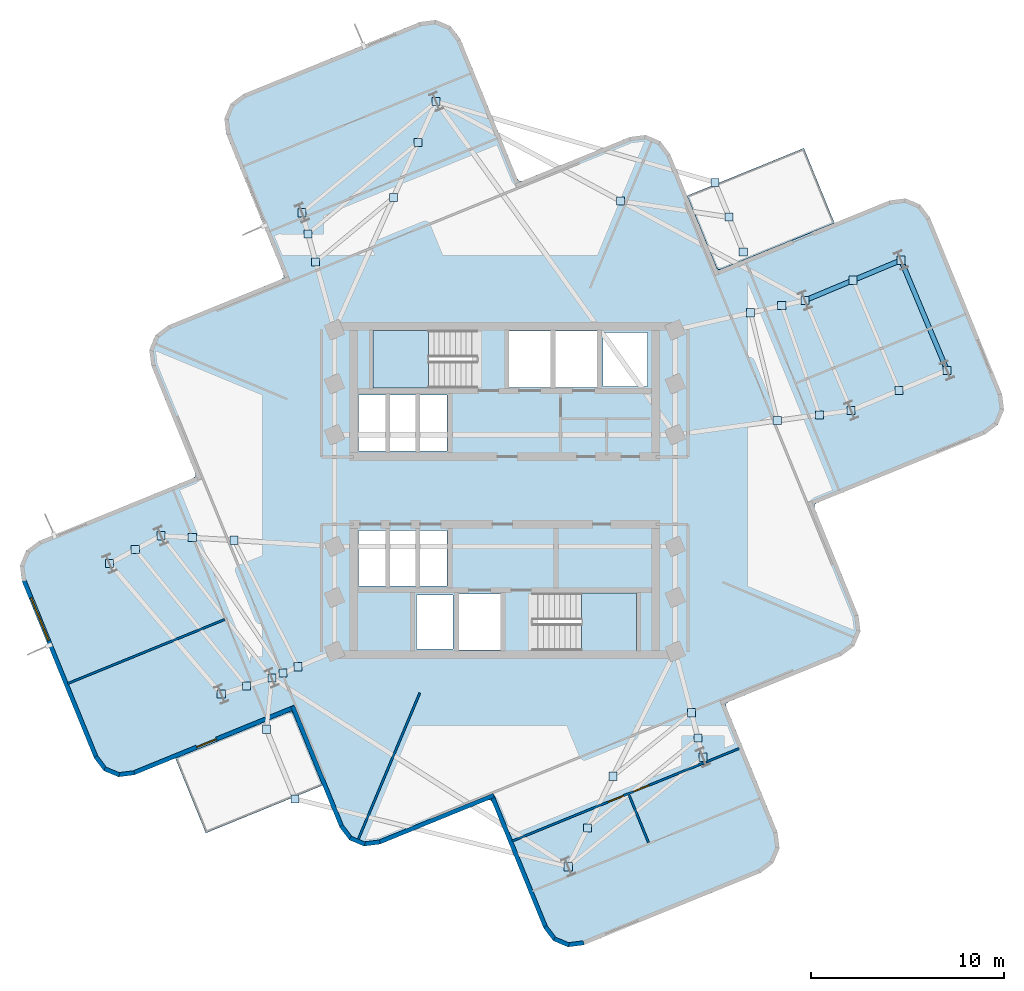
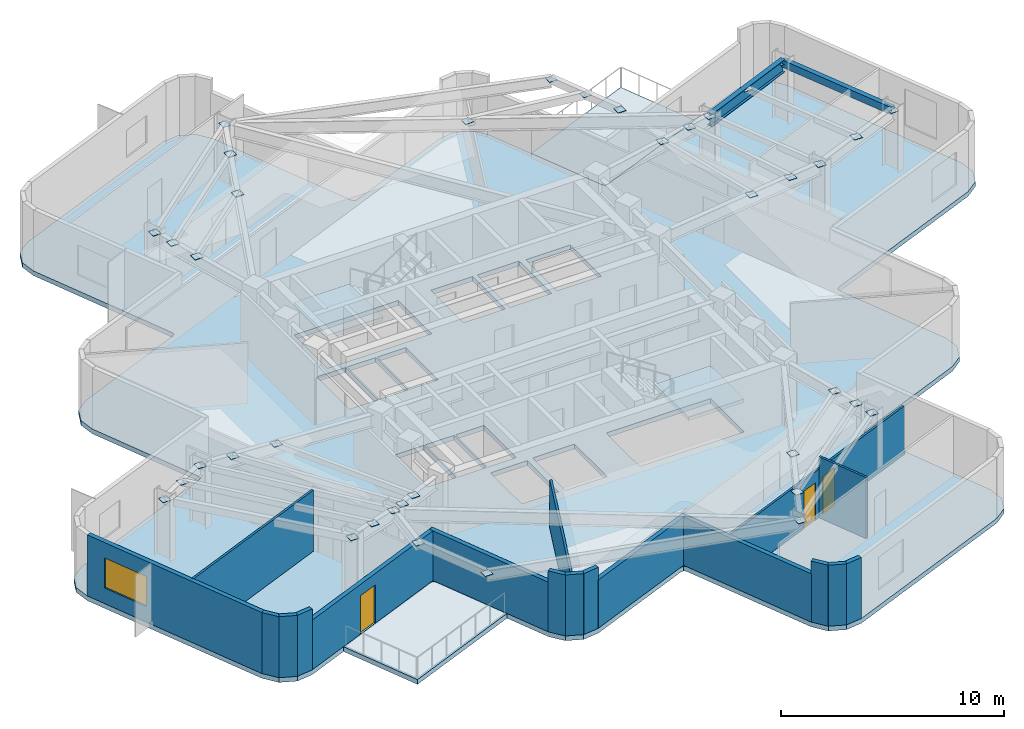
# One storey, part 2 of 8: 38 plates, 18 walls, 5 slabs, 3 doors, 2 beams, 1 window, 4 openings, 2 elements without a shape of their own.
"""IFC4 building model written with IfcOpenShell, lengths in metres."""

from ifc_helpers import new_model, si_unit, direction, frame, frame_2d, origin, origin_2d, place, context, subcontext, project, spatial, polyline, rectangle, hollow_rectangle, i_section, outline, extrude, material, layer, layer_set, material_profile, profile_set, type_object, element, fill, aggregate, save


model = new_model("IFC4")

# Units and contexts
model_context = context("Model", 3, precision=1e-05, world=origin(), true_north=direction((0.0, 1.0)))
body_context = subcontext(model_context, "Body", "Model", "MODEL_VIEW")
ifc_project = project(units=[si_unit("LENGTHUNIT", "METRE"), si_unit("AREAUNIT", "SQUARE_METRE"), si_unit("VOLUMEUNIT", "CUBIC_METRE"), si_unit("PLANEANGLEUNIT", "RADIAN"), si_unit("MASSUNIT", "GRAM", prefix="KILO")], contexts=[model_context])

# Site, building, storey
site_placement = place(None, origin())
site = spatial("IfcSite", under=ifc_project, at=site_placement, CompositionType="ELEMENT")
building_placement = place(site_placement, origin())
building = spatial("IfcBuilding", under=site, at=building_placement, Name="Solmarez Civic Tower", CompositionType="ELEMENT")
storey_placement = place(building_placement, frame((0.0, 0.0, 173.8798828125)))
storey = spatial("IfcBuildingStorey", under=building, at=storey_placement, Name="L46", CompositionType="ELEMENT", Elevation=173.8798828125)

# Beams
ifc_material_1 = material(Name="Steel S355", Category="steel")
ifc_material_profile_1 = material_profile(ifc_material_1, i_section(OverallWidth=0.25390625, OverallDepth=0.68798828125, WebThickness=0.01318359375, FlangeThickness=0.02099609375, at=origin_2d()), Name="W27X102")
ifc_profile_set_1 = profile_set([ifc_material_profile_1], Name="Steel S355")
beam_type_1 = type_object("IfcBeamType", Name="BM-PR-W27X102", PredefinedType="BEAM", material=ifc_profile_set_1)
beam_1_placement = place(storey_placement, frame((15.593994140625, 9.883056640625, 2.99609375), z_axis=(0.922538326171, 0.385905476438, 0.0), x_axis=(-0.385905476438, 0.922538326171, 0.0)))
element("IfcBeam", 1, at=beam_1_placement, inside=storey, type_object=beam_type_1, Name="L46 Primary Floor Beam BM-L46-EA-R2B", PredefinedType="BEAM", context=body_context, shape_type="SweptSolid", body=[
    extrude(i_section(OverallWidth=0.25390625, OverallDepth=0.68798828125, WebThickness=0.01318359375, FlangeThickness=0.02099609375, at=origin_2d()), origin(), (0.0, 0.0, 1.0), 5.400146484375),
])
ifc_material_profile_2 = material_profile(ifc_material_1, hollow_rectangle(XDim=0.25, YDim=0.39990234375, WallThickness=0.01611328125, at=origin_2d()), Name="HSS400X250X16")
ifc_profile_set_2 = profile_set([ifc_material_profile_2], Name="Steel S355")
beam_type_2 = type_object("IfcBeamType", Name="BM-SP-HSS400X250", PredefinedType="SPANDREL", material=ifc_profile_set_2)
beam_2_placement = place(storey_placement, frame((22.968017578125, 6.248046875, 3.14013671875), z_axis=(-0.385876218946, 0.922550564279, 0.0), x_axis=(-0.922550564279, -0.385876218946, 0.0)))
element("IfcBeam", 2, at=beam_2_placement, inside=storey, type_object=beam_type_2, Name="L46 Perimeter Spandrel Beam BM-L46-EA-T2", PredefinedType="SPANDREL", context=body_context, shape_type="SweptSolid", body=[
    extrude(hollow_rectangle(XDim=0.25, YDim=0.39990234375, WallThickness=0.01611328125, at=origin_2d()), origin(), (0.0, 0.0, 1.0), 6.19921875),
])

# Plates
ifc_layer_1 = layer(ifc_material_1, 0.02392578125)
ifc_layer_set_1 = layer_set([ifc_layer_1], Name="Steel S355")
plate_type = type_object("IfcPlateType", Name="PLT-CAP-380", PredefinedType="USERDEFINED", material=ifc_layer_set_1)
for number, where, z_axis, x_axis, name in (
    (3, (17.987060546875, 4.1640625, 3.17822265625), (0.0, 0.0, 1.0), (1.0, 0.0, 0.0), "Steel Member End Cap Plate CAP-BM-L46-EA-T1-0"),
    (4, (15.593994140625, 9.883056640625, 3.17822265625), (0.0, 0.0, 1.0), (1.0, 0.0, 0.0), "Steel Member End Cap Plate CAP-BM-L46-EA-T1-1"),
    (5, (22.968017578125, 6.248046875, 3.128173828125), (0.0, 0.0, 1.0), (1.0, 0.0, 0.0), "Steel Member End Cap Plate CAP-BM-L46-EA-T2-0"),
    (6, (20.575927734375, 11.967041015625, 3.128173828125), (0.0, 0.0, 1.0), (1.0, 0.0, 0.0), "Steel Member End Cap Plate CAP-BM-L46-EA-T2-1"),
    (7, (20.47705078125, 5.2060546875, 3.17822265625), (0.0, 0.0, 1.0), (1.0, 0.0, 0.0), "Steel Member End Cap Plate CAP-JS-L46-EA-M2-0"),
    (8, (18.0849609375, 10.925048828125, 3.17822265625), (0.0, 0.0, 1.0), (1.0, 0.0, 0.0), "Steel Member End Cap Plate CAP-JS-L46-EA-M2-1"),
    (9, (14.14892578125, 3.633056640625, 3.17822265625), (0.0, 0.0, 1.0), (1.0, 0.0, 0.0), "Steel Member End Cap Plate CAP-JS-L46-EA-M11-0"),
    (10, (12.761962890625, 9.239013671875, 3.17822265625), (0.0, 0.0, 1.0), (1.0, 0.0, 0.0), "Steel Member End Cap Plate CAP-JS-L46-EA-M11-1"),
    (11, (16.342041015625, 3.93603515625, 3.17822265625), (0.0, 0.0, 1.0), (1.0, 0.0, 0.0), "Steel Member End Cap Plate CAP-JS-L46-EA-M12-0"),
    (12, (14.3798828125, 9.60693359375, 3.17822265625), (0.0, 0.0, 1.0), (1.0, 0.0, 0.0), "Steel Member End Cap Plate CAP-JS-L46-EA-M12-1"),
    (13, (-3.570068359375, 20.20703125, 3.17822265625), (0.0, 0.0, 1.0), (1.0, 0.0, 0.0), "Steel Member End Cap Plate CAP-BM-L46-NA-T1-0"),
    (14, (-10.532958984375, 14.43310546875, 3.17822265625), (0.0, 0.0, 1.0), (1.0, 0.0, 0.0), "Steel Member End Cap Plate CAP-BM-L46-NA-T1-1"),
    (15, (-5.7880859375, 15.22705078125, 3.17822265625), (0.0, 0.0, 1.0), (1.0, 0.0, 0.0), "Steel Member End Cap Plate CAP-JS-L46-NA-M11-0"),
    (16, (-9.825927734375, 11.8779296875, 3.17822265625), (0.0, 0.0, 1.0), (1.0, 0.0, 0.0), "Steel Member End Cap Plate CAP-JS-L46-NA-M11-1"),
    (17, (-4.52001953125, 18.072998046875, 3.17822265625), (0.0, 0.0, 1.0), (1.0, 0.0, 0.0), "Steel Member End Cap Plate CAP-JS-L46-NA-M12-0"),
    (18, (-10.22998046875, 13.337890625, 3.17822265625), (0.0, 0.0, 1.0), (1.0, 0.0, 0.0), "Steel Member End Cap Plate CAP-JS-L46-NA-M12-1"),
    (19, (-17.85791015625, -2.345947265625, 3.17822265625), (0.0, 0.0, 1.0), (1.0, 0.0, 0.0), "Steel Member End Cap Plate CAP-BM-L46-WA-T1-0"),
    (20, (-12.10595703125, -9.73095703125, 3.17822265625), (0.0, 0.0, 1.0), (1.0, 0.0, 0.0), "Steel Member End Cap Plate CAP-BM-L46-WA-T1-1"),
    (21, (-20.534912109375, -3.7880859375, 3.128173828125), (0.0, 0.0, 1.0), (1.0, 0.0, 0.0), "Steel Member End Cap Plate CAP-BM-L46-WA-T2-0"),
    (22, (-14.73095703125, -10.572998046875, 3.128173828125), (0.0, 0.0, 1.0), (1.0, 0.0, 0.0), "Steel Member End Cap Plate CAP-BM-L46-WA-T2-1"),
    (23, (-19.197021484375, -3.06689453125, 3.17822265625), (0.0, 0.0, 1.0), (1.0, 0.0, 0.0), "Steel Member End Cap Plate CAP-JS-L46-WA-M2-0"),
    (24, (-13.41796875, -10.152099609375, 3.17822265625), (0.0, 0.0, 1.0), (1.0, 0.0, 0.0), "Steel Member End Cap Plate CAP-JS-L46-WA-M2-1"),
    (25, (-14.074951171875, -2.5791015625, 3.17822265625), (0.0, 0.0, 1.0), (1.0, 0.0, 0.0), "Steel Member End Cap Plate CAP-JS-L46-WA-M11-0"),
    (26, (-10.738037109375, -9.15087890625, 3.17822265625), (0.0, 0.0, 1.0), (1.0, 0.0, 0.0), "Steel Member End Cap Plate CAP-JS-L46-WA-M11-1"),
    (27, (-16.237060546875, -2.446044921875, 3.17822265625), (0.0, 0.0, 1.0), (1.0, 0.0, 0.0), "Steel Member End Cap Plate CAP-JS-L46-WA-M12-0"),
    (28, (-11.52001953125, -9.48193359375, 3.17822265625), (0.0, 0.0, 1.0), (1.0, 0.0, 0.0), "Steel Member End Cap Plate CAP-JS-L46-WA-M12-1"),
    (29, (3.2900390625, -19.535888671875, 3.17822265625), (0.0, 0.0, 1.0), (1.0, 0.0, 0.0), "Steel Member End Cap Plate CAP-BM-L46-SA-T1-0"),
    (30, (10.2900390625, -13.85009765625, 3.17822265625), (0.0, 0.0, 1.0), (1.0, 0.0, 0.0), "Steel Member End Cap Plate CAP-BM-L46-SA-T1-1"),
    (31, (5.625, -14.837890625, 3.17822265625), (0.0, 0.0, 1.0), (1.0, 0.0, 0.0), "Steel Member End Cap Plate CAP-JS-L46-SA-M11-0"),
    (32, (9.68505859375, -11.5400390625, 3.17822265625), (0.0, 0.0, 1.0), (1.0, 0.0, 0.0), "Steel Member End Cap Plate CAP-JS-L46-SA-M11-1"),
    (33, (4.291015625, -17.52294921875, 3.17822265625), (0.0, 0.0, 1.0), (1.0, 0.0, 0.0), "Steel Member End Cap Plate CAP-JS-L46-SA-M12-0"),
    (34, (10.031005859375, -12.860107421875, 3.17822265625), (0.0, 0.0, 1.0), (1.0, 0.0, 0.0), "Steel Member End Cap Plate CAP-JS-L46-SA-M12-1"),
    (35, (12.383056640625, 12.39794921875, 3.128173828125), (0.0, 0.0, 1.0), (1.0, 0.0, 0.0), "Steel Member End Cap Plate CAP-BM-L46-BALC-NEE-0"),
    (36, (10.909912109375, 16.009033203125, 3.128173828125), (0.0, 0.0, 1.0), (1.0, 0.0, 0.0), "Steel Member End Cap Plate CAP-BM-L46-BALC-NEE-1"),
    (37, (6.011962890625, 15.044921875, 3.128173828125), (0.0, 0.0, 1.0), (1.0, 0.0, 0.0), "Steel Member End Cap Plate CAP-BM-L46-BALC-NEM-0"),
    (38, (11.64599609375, 14.2041015625, 3.128173828125), (0.0, 0.0, 1.0), (1.0, 0.0, 0.0), "Steel Member End Cap Plate CAP-BM-L46-BALC-NEM-1"),
    (39, (-12.383056640625, -12.39794921875, 3.128173828125), (0.0, 0.0, 1.0), (1.0, 0.0, 0.0), "Steel Member End Cap Plate CAP-BM-L46-BALC-SWE-0"),
    (40, (-10.909912109375, -16.009033203125, 3.128173828125), (0.0, 0.0, 1.0), (1.0, 0.0, 0.0), "Steel Member End Cap Plate CAP-BM-L46-BALC-SWE-1"),
):
    element("IfcPlate", number, at=place(storey_placement, frame(where, z_axis=z_axis, x_axis=x_axis)), inside=storey, type_object=plate_type, Name=name, ObjectType="CAP_PLATE", PredefinedType="USERDEFINED", context=body_context, shape_type="SweptSolid", body=[
        extrude(rectangle(XDim=0.419921875, YDim=0.419921875, at=origin_2d()), origin(), (0.0, 0.0, 1.0), 0.02392578125),
    ])

# Stair, slab
ifc_material_2 = material(Name="Concrete C50/60", Category="concrete")
stair_type = type_object("IfcStairType", Name="STAIR-DOGLEG-140W-20R-1800", PredefinedType="HALF_TURN_STAIR", material=ifc_material_2)
stair_1_placement = place(storey_placement, origin())
stair_1 = element("IfcStair", 41, at=stair_1_placement, inside=storey, type_object=stair_type, Name="L46 North Core Protected Exit Stair ST-1", PredefinedType="HALF_TURN_STAIR")
ifc_layer_2 = layer(ifc_material_2, 0.199951171875)
ifc_layer_set_2 = layer_set([ifc_layer_2], Name="Concrete C50/60")
slab_type_1 = type_object("IfcSlabType", Name="SLAB-LANDING-200", PredefinedType="LANDING", material=ifc_layer_set_2)
slab_1_placement = place(storey_placement, frame((0.0, 0.0, 1.60009765625)))
slab_1 = element("IfcSlab", 42, at=slab_1_placement, type_object=slab_type_1, Name="ST-1 landing 1", PredefinedType="LANDING", context=body_context, shape_type="SweptSolid", body=[
    extrude(outline(polyline([(-3.969970703125, 8.320068359375), (-6.85009765625, 8.320068359375), (-6.85009765625, 5.320068359375), (-3.969970703125, 5.320068359375), (-3.969970703125, 8.320068359375)])), origin(), (0.0, 0.0, 1.0), 0.199951171875),
])
aggregate(stair_1, [slab_1])

stair_2_placement = place(storey_placement, origin())
stair_2 = element("IfcStair", 43, at=stair_2_placement, inside=storey, type_object=stair_type, Name="L46 South Core Protected Exit Stair ST-2", PredefinedType="HALF_TURN_STAIR")
slab_2_placement = place(storey_placement, frame((0.0, 0.0, 1.60009765625)))
slab_2 = element("IfcSlab", 44, at=slab_2_placement, type_object=slab_type_1, Name="ST-2 landing 1", PredefinedType="LANDING", context=body_context, shape_type="SweptSolid", body=[
    extrude(outline(polyline([(3.969970703125, -8.320068359375), (6.85009765625, -8.320068359375), (6.85009765625, -5.320068359375), (3.969970703125, -5.320068359375), (3.969970703125, -8.320068359375)])), origin(), (0.0, 0.0, 1.0), 0.199951171875),
])
aggregate(stair_2, [slab_2])

# Slabs
ifc_layer_3 = layer(ifc_material_2, 0.260009765625)
ifc_layer_set_3 = layer_set([ifc_layer_3], Name="Concrete C50/60")
slab_type_2 = type_object("IfcSlabType", Name="SLAB-TOWER-260", PredefinedType="FLOOR", material=ifc_layer_set_3)
slab_3_placement = place(storey_placement, frame((0.0, 0.0, -0.259765625)))
element("IfcSlab", 45, at=slab_3_placement, inside=storey, type_object=slab_type_2, Name="L46 Structural Slab", PredefinedType="FLOOR", context=body_context, shape_type="SweptSolid", body=[
    extrude(outline(polyline([(-10.97412109375, -11.617919921875), (-8.577880859375, -17.488037109375), (-8.077880859375, -18.14697265625), (-7.31396484375, -18.468017578125), (-6.491943359375, -18.364013671875), (-0.9189453125, -16.090087890625), (-0.7490234375, -16.069091796875), (-0.64501953125, -16.2060546875), (2.014892578125, -22.722900390625), (2.51611328125, -23.383056640625), (3.279052734375, -23.7041015625), (4.10107421875, -23.60009765625), (13.285888671875, -19.85205078125), (13.945068359375, -19.35107421875), (14.26611328125, -18.5869140625), (14.1630859375, -17.76611328125), (11.5029296875, -11.248046875), (11.48095703125, -11.077880859375), (11.617919921875, -10.97412109375), (17.488037109375, -8.577880859375), (18.14697265625, -8.077880859375), (18.468017578125, -7.31396484375), (18.364013671875, -6.491943359375), (16.090087890625, -0.9189453125), (16.069091796875, -0.7490234375), (16.2060546875, -0.64501953125), (24.945068359375, 2.922119140625), (25.60498046875, 3.423095703125), (25.926025390625, 4.18603515625), (25.822021484375, 5.008056640625), (22.073974609375, 14.19189453125), (21.572998046875, 14.85205078125), (20.81005859375, 15.173095703125), (19.988037109375, 15.069091796875), (11.248046875, 11.5029296875), (11.077880859375, 11.48095703125), (10.97412109375, 11.617919921875), (8.577880859375, 17.488037109375), (8.077880859375, 18.14697265625), (7.31396484375, 18.468017578125), (6.491943359375, 18.364013671875), (0.9189453125, 16.090087890625), (0.7490234375, 16.069091796875), (0.64501953125, 16.2060546875), (-2.31689453125, 23.464111328125), (-2.818115234375, 24.123046875), (-3.58203125, 24.444091796875), (-4.403076171875, 24.341064453125), (-13.587890625, 20.592041015625), (-14.248046875, 20.092041015625), (-14.569091796875, 19.327880859375), (-14.465087890625, 18.506103515625), (-11.5029296875, 11.248046875), (-11.48095703125, 11.077880859375), (-11.617919921875, 10.97412109375), (-17.488037109375, 8.577880859375), (-18.14697265625, 8.077880859375), (-18.468017578125, 7.31396484375), (-18.364013671875, 6.491943359375), (-16.090087890625, 0.9189453125), (-16.069091796875, 0.7490234375), (-16.2060546875, 0.64501953125), (-24.2041015625, -2.6201171875), (-24.864013671875, -3.1201171875), (-25.18505859375, -3.884033203125), (-25.0810546875, -4.7060546875), (-21.3330078125, -13.889892578125), (-20.83203125, -14.550048828125), (-20.069091796875, -14.87109375), (-19.2470703125, -14.76708984375), (-11.248046875, -11.5029296875), (-11.077880859375, -11.48095703125), (-10.97412109375, -11.617919921875)]), holes=[polyline([(-1.449951171875, 8.320068359375), (-6.85009765625, 8.320068359375), (-6.85009765625, 5.320068359375), (-1.449951171875, 5.320068359375), (-1.449951171875, 8.320068359375)]), polyline([(1.449951171875, -8.320068359375), (6.85009765625, -8.320068359375), (6.85009765625, -5.320068359375), (1.449951171875, -5.320068359375), (1.449951171875, -8.320068359375)]), polyline([(0.219970703125, 5.360107421875), (2.3798828125, 5.360107421875), (2.3798828125, 8.280029296875), (0.219970703125, 8.280029296875), (0.219970703125, 5.360107421875)]), polyline([(2.6201171875, 5.360107421875), (4.780029296875, 5.360107421875), (4.780029296875, 8.280029296875), (2.6201171875, 8.280029296875), (2.6201171875, 5.360107421875)]), polyline([(-2.3798828125, -8.280029296875), (-0.219970703125, -8.280029296875), (-0.219970703125, -5.360107421875), (-2.3798828125, -5.360107421875), (-2.3798828125, -8.280029296875)]), polyline([(-7.60009765625, -4.9599609375), (-6.1201171875, -4.9599609375), (-6.1201171875, -2.06005859375), (-7.60009765625, -2.06005859375), (-7.60009765625, -4.9599609375)]), polyline([(-6.0400390625, -4.9599609375), (-4.56005859375, -4.9599609375), (-4.56005859375, -2.06005859375), (-6.0400390625, -2.06005859375), (-6.0400390625, -4.9599609375)]), polyline([(-4.47998046875, -4.9599609375), (-3.0, -4.9599609375), (-3.0, -2.06005859375), (-4.47998046875, -2.06005859375), (-4.47998046875, -4.9599609375)]), polyline([(-7.60009765625, 2.06005859375), (-6.1201171875, 2.06005859375), (-6.1201171875, 4.9599609375), (-7.60009765625, 4.9599609375), (-7.60009765625, 2.06005859375)]), polyline([(-6.0400390625, 2.06005859375), (-4.56005859375, 2.06005859375), (-4.56005859375, 4.9599609375), (-6.0400390625, 4.9599609375), (-6.0400390625, 2.06005859375)]), polyline([(-4.47998046875, 2.06005859375), (-3.0, 2.06005859375), (-3.0, 4.9599609375), (-4.47998046875, 4.9599609375), (-4.47998046875, 2.06005859375)]), polyline([(5.10009765625, 5.419921875), (7.39990234375, 5.419921875), (7.39990234375, 8.219970703125), (5.10009765625, 8.219970703125), (5.10009765625, 5.419921875)]), polyline([(-4.60009765625, -8.219970703125), (-2.699951171875, -8.219970703125), (-2.699951171875, -5.419921875), (-4.60009765625, -5.419921875), (-4.60009765625, -8.219970703125)])]), origin(), (0.0, 0.0, 1.0), 0.259765625),
])
slab_4_placement = place(storey_placement, frame((0.0, 0.0, -0.259765625)))
element("IfcSlab", 46, at=slab_4_placement, inside=storey, type_object=slab_type_2, Name="L46 Re-entrant Corner Winter-Garden Balcony NE", PredefinedType="FLOOR", context=body_context, shape_type="SweptSolid", body=[
    extrude(outline(polyline([(9.468017578125, 15.31298828125), (10.97509765625, 11.618896484375), (11.0791015625, 11.48291015625), (11.248046875, 11.5048828125), (17.116943359375, 13.89990234375), (15.531005859375, 17.787109375), (9.468017578125, 15.31298828125)])), origin(), (0.0, 0.0, 1.0), 0.259765625),
])
slab_5_placement = place(storey_placement, frame((0.0, 0.0, -0.259765625)))
element("IfcSlab", 47, at=slab_5_placement, inside=storey, type_object=slab_type_2, Name="L46 Re-entrant Corner Winter-Garden Balcony SW", PredefinedType="FLOOR", context=body_context, shape_type="SweptSolid", body=[
    extrude(outline(polyline([(-9.468017578125, -15.31298828125), (-10.97509765625, -11.618896484375), (-11.0791015625, -11.48291015625), (-11.248046875, -11.5048828125), (-17.116943359375, -13.89990234375), (-15.531005859375, -17.787109375), (-9.468017578125, -15.31298828125)])), origin(), (0.0, 0.0, 1.0), 0.259765625),
])

# Wall, opening, door
ifc_material_3 = material(Name="Precast concrete C40/50", Category="concrete")
ifc_layer_4 = layer(ifc_material_3, 0.219970703125)
ifc_layer_set_4 = layer_set([ifc_layer_4], Name="Precast concrete C40/50")
wall_type_1 = type_object("IfcWallType", Name="WALL-EXT-220", PredefinedType="SOLIDWALL", material=ifc_layer_set_4)
wall_1_placement = place(storey_placement, frame((-10.912109375, -11.24609375, 0.0), z_axis=(0.0, 0.0, 1.0), x_axis=(-0.925847643695, -0.377896997427, 0.0)))
wall_1 = element("IfcWall", 48, at=wall_1_placement, inside=storey, type_object=wall_type_1, Name="L46 Exterior Precast Wall 2", PredefinedType="SOLIDWALL", context=body_context, shape_type="SweptSolid", body=[
    extrude(rectangle(XDim=9.0576171875, YDim=0.219970703125, at=frame_2d((4.52880859375, 0.0))), origin(), (0.0, 0.0, 1.0), 2.72021484375),
])
opening_1_placement = place(wall_1_placement, frame((4.39990234375, 0.0, 0.0)))
opening_1 = element("IfcOpeningElement", 49, at=opening_1_placement, cuts=wall_1, Name="Opening D-06", PredefinedType="OPENING", context=body_context, shape_type="SweptSolid", body=[
    extrude(rectangle(XDim=1.10009765625, YDim=2.10009765625, at=frame_2d((0.550048828125, 1.050048828125))), frame((0.0, 0.119873046875, 0.0), z_axis=(0.0, -1.0, 0.0), x_axis=(1.0, 0.0, 0.0)), (0.0, 0.0, 1.0), 0.239990234375),
])
ifc_material_4 = material(Name="Bronze Anodised Aluminium Glazed Terrace Door", Category="aluminium")
door_type_1 = type_object("IfcDoorType", Name="DOOR-TERR-1100", OperationType="NOTDEFINED", PredefinedType="DOOR", material=ifc_material_4)
door_1_placement = place(opening_1_placement, origin())
door_1 = element("IfcDoor", 50, at=door_1_placement, inside=storey, type_object=door_type_1, Name="L46 Outdoor Terrace Glazed Door", OperationType="SINGLE_SWING_RIGHT", OverallHeight=2.10009765625, OverallWidth=1.10009765625, PredefinedType="DOOR", context=body_context, shape_type="SweptSolid", body=[
    extrude(rectangle(XDim=1.10009765625, YDim=2.10009765625, at=frame_2d((0.550048828125, 1.050048828125))), frame((0.0, 0.02490234375, 0.0), z_axis=(0.0, -1.0, 0.0), x_axis=(1.0, 0.0, 0.0)), (0.0, 0.0, 1.0), 0.050048828125),
])
fill(opening_1, door_1)

# Walls
wall_2_placement = place(storey_placement, frame((-19.25, -14.656982421875, 0.0), z_axis=(0.0, 0.0, 1.0), x_axis=(-0.992201162123, -0.124646916858, 0.0)))
element("IfcWall", 51, at=wall_2_placement, inside=storey, type_object=wall_type_1, Name="L46 Exterior Precast Wall 3", PredefinedType="SOLIDWALL", context=body_context, shape_type="SweptSolid", body=[
    extrude(rectangle(XDim=0.83447265625, YDim=0.219970703125, at=frame_2d((0.417236328125, 0.0))), origin(), (0.0, 0.0, 1.0), 3.340087890625),
])
wall_3_placement = place(storey_placement, frame((-20.030029296875, -14.76806640625, 0.0), z_axis=(0.0, 0.0, 1.0), x_axis=(-0.921697006113, 0.387910593981, 0.0)))
element("IfcWall", 52, at=wall_3_placement, inside=storey, type_object=wall_type_1, Name="L46 Exterior Precast Wall 4", PredefinedType="SOLIDWALL", context=body_context, shape_type="SweptSolid", body=[
    extrude(rectangle(XDim=0.820068359375, YDim=0.219970703125, at=frame_2d((0.41015625, 0.0))), origin(), (0.0, 0.0, 1.0), 3.340087890625),
])
wall_4_placement = place(storey_placement, frame((-20.748046875, -14.47998046875, 0.0), z_axis=(0.0, 0.0, 1.0), x_axis=(-0.603925287566, 0.797040931846, 0.0)))
element("IfcWall", 53, at=wall_4_placement, inside=storey, type_object=wall_type_1, Name="L46 Exterior Precast Wall 5", PredefinedType="SOLIDWALL", context=body_context, shape_type="SweptSolid", body=[
    extrude(rectangle(XDim=0.83447265625, YDim=0.219970703125, at=frame_2d((0.417236328125, 0.0))), origin(), (0.0, 0.0, 1.0), 3.340087890625),
])

# Wall, opening, window
wall_5_placement = place(storey_placement, frame((-21.22802734375, -13.85791015625, 0.0), z_axis=(0.0, 0.0, 1.0), x_axis=(-0.377742315497, 0.925910764104, 0.0)))
wall_5 = element("IfcWall", 54, at=wall_5_placement, inside=storey, type_object=wall_type_1, Name="L46 Exterior Precast Wall 6", PredefinedType="SOLIDWALL", context=body_context, shape_type="SweptSolid", body=[
    extrude(rectangle(XDim=9.9404296875, YDim=0.219970703125, at=frame_2d((4.97021484375, 0.0))), origin(), (0.0, 0.0, 1.0), 3.340087890625),
])
opening_2_placement = place(wall_5_placement, frame((6.553955078125, 0.0, 0.85009765625)))
opening_2 = element("IfcOpeningElement", 55, at=opening_2_placement, cuts=wall_5, Name="Opening W-10", PredefinedType="OPENING", context=body_context, shape_type="SweptSolid", body=[
    extrude(rectangle(XDim=2.39990234375, YDim=1.64990234375, at=frame_2d((1.199951171875, 0.824951171875))), frame((0.0, 0.119873046875, 0.0), z_axis=(0.0, -1.0, 0.0), x_axis=(1.0, 0.0, 0.0)), (0.0, 0.0, 1.0), 0.239990234375),
])
ifc_material_5 = material(Name="Solar Control Bronze-Tinted Insulating Glass", Category="glass")
window_type = type_object("IfcWindowType", Name="WIN-2400X1650", PartitioningType="SINGLE_PANEL", PredefinedType="WINDOW", material=ifc_material_5)
window_placement = place(opening_2_placement, origin())
window = element("IfcWindow", 56, at=window_placement, inside=storey, type_object=window_type, Name="L46 Exterior Facade Window 6", OverallHeight=1.64990234375, OverallWidth=2.39990234375, PartitioningType="SINGLE_PANEL", PredefinedType="WINDOW", context=body_context, shape_type="SweptSolid", body=[
    extrude(rectangle(XDim=2.39990234375, YDim=1.64990234375, at=frame_2d((1.199951171875, 0.824951171875))), frame((0.0, 0.030029296875, 0.0), z_axis=(0.0, -1.0, 0.0), x_axis=(1.0, 0.0, 0.0)), (0.0, 0.0, 1.0), 0.06005859375),
])
fill(opening_2, window)

# Walls
wall_6_placement = place(storey_placement, frame((4.097900390625, -23.489990234375, 0.0), z_axis=(0.0, 0.0, 1.0), x_axis=(-0.992201162123, -0.124646916858, 0.0)))
element("IfcWall", 57, at=wall_6_placement, inside=storey, type_object=wall_type_1, Name="L46 Exterior Precast Wall 61", PredefinedType="SOLIDWALL", context=body_context, shape_type="SweptSolid", body=[
    extrude(rectangle(XDim=0.83447265625, YDim=0.219970703125, at=frame_2d((0.417236328125, 0.0))), origin(), (0.0, 0.0, 1.0), 3.340087890625),
])
wall_7_placement = place(storey_placement, frame((3.318115234375, -23.60107421875, 0.0), z_axis=(0.0, 0.0, 1.0), x_axis=(-0.921562448508, 0.38823015532, 0.0)))
element("IfcWall", 58, at=wall_7_placement, inside=storey, type_object=wall_type_1, Name="L46 Exterior Precast Wall 62", PredefinedType="SOLIDWALL", context=body_context, shape_type="SweptSolid", body=[
    extrude(rectangle(XDim=0.8193359375, YDim=0.219970703125, at=frame_2d((0.40966796875, 0.0))), origin(), (0.0, 0.0, 1.0), 3.340087890625),
])
wall_8_placement = place(storey_placement, frame((2.60107421875, -23.31298828125, 0.0), z_axis=(0.0, 0.0, 1.0), x_axis=(-0.604853461147, 0.796336794666, 0.0)))
element("IfcWall", 59, at=wall_8_placement, inside=storey, type_object=wall_type_1, Name="L46 Exterior Precast Wall 63", PredefinedType="SOLIDWALL", context=body_context, shape_type="SweptSolid", body=[
    extrude(rectangle(XDim=0.835205078125, YDim=0.219970703125, at=frame_2d((0.41748046875, 0.0))), origin(), (0.0, 0.0, 1.0), 3.340087890625),
])
wall_9_placement = place(storey_placement, frame((2.1201171875, -22.69091796875, 0.0), z_axis=(0.0, 0.0, 1.0), x_axis=(-0.377754391584, 0.92590583735, 0.0)))
element("IfcWall", 60, at=wall_9_placement, inside=storey, type_object=wall_type_1, Name="L46 Exterior Precast Wall 64", PredefinedType="SOLIDWALL", context=body_context, shape_type="SweptSolid", body=[
    extrude(rectangle(XDim=7.45751953125, YDim=0.219970703125, at=frame_2d((3.728759765625, 0.0))), origin(), (0.0, 0.0, 1.0), 2.64404296875),
])
wall_10_placement = place(storey_placement, frame((-0.5830078125, -15.833984375, 0.0), z_axis=(0.0, 0.0, 1.0), x_axis=(-0.925896916469, -0.377776256629, 0.0)))
element("IfcWall", 61, at=wall_10_placement, inside=storey, type_object=wall_type_1, Name="L46 Exterior Precast Wall 67", PredefinedType="SOLIDWALL", context=body_context, shape_type="SweptSolid", body=[
    extrude(rectangle(XDim=6.43798828125, YDim=0.219970703125, at=frame_2d((3.218994140625, 0.0))), origin(), (0.0, 0.0, 1.0), 2.64404296875),
])
wall_11_placement = place(storey_placement, frame((-6.49609375, -18.25390625, 0.0), z_axis=(0.0, 0.0, 1.0), x_axis=(-0.992201162123, -0.124646916858, 0.0)))
element("IfcWall", 62, at=wall_11_placement, inside=storey, type_object=wall_type_1, Name="L46 Exterior Precast Wall 68", PredefinedType="SOLIDWALL", context=body_context, shape_type="SweptSolid", body=[
    extrude(rectangle(XDim=0.83447265625, YDim=0.219970703125, at=frame_2d((0.417236328125, 0.0))), origin(), (0.0, 0.0, 1.0), 3.340087890625),
])
wall_12_placement = place(storey_placement, frame((-7.27587890625, -18.364990234375, 0.0), z_axis=(0.0, 0.0, 1.0), x_axis=(-0.9216690265, 0.387977068381, 0.0)))
element("IfcWall", 63, at=wall_12_placement, inside=storey, type_object=wall_type_1, Name="L46 Exterior Precast Wall 69", PredefinedType="SOLIDWALL", context=body_context, shape_type="SweptSolid", body=[
    extrude(rectangle(XDim=0.8193359375, YDim=0.219970703125, at=frame_2d((0.40966796875, 0.0))), origin(), (0.0, 0.0, 1.0), 3.340087890625),
])
wall_13_placement = place(storey_placement, frame((-7.992919921875, -18.076904296875, 0.0), z_axis=(0.0, 0.0, 1.0), x_axis=(-0.604815890473, 0.796365329878, 0.0)))
element("IfcWall", 64, at=wall_13_placement, inside=storey, type_object=wall_type_1, Name="L46 Exterior Precast Wall 70", PredefinedType="SOLIDWALL", context=body_context, shape_type="SweptSolid", body=[
    extrude(rectangle(XDim=0.83349609375, YDim=0.219970703125, at=frame_2d((0.416748046875, 0.0))), origin(), (0.0, 0.0, 1.0), 3.340087890625),
])
wall_14_placement = place(storey_placement, frame((-8.472900390625, -17.4560546875, 0.0), z_axis=(0.0, 0.0, 1.0), x_axis=(-0.377728271133, 0.925916493636, 0.0)))
element("IfcWall", 65, at=wall_14_placement, inside=storey, type_object=wall_type_1, Name="L46 Exterior Precast Wall 71", PredefinedType="SOLIDWALL", context=body_context, shape_type="SweptSolid", body=[
    extrude(rectangle(XDim=6.7587890625, YDim=0.219970703125, at=frame_2d((3.37939453125, 0.0))), origin(), (0.0, 0.0, 1.0), 2.72021484375),
])
ifc_material_6 = material(Name="Gypsum Board Acoustic Steel-Stud Partition", Category="steel")
ifc_layer_5 = layer(ifc_material_6, 0.110107421875)
ifc_layer_set_5 = layer_set([ifc_layer_5], Name="Gypsum Board Acoustic Steel-Stud Partition")
wall_type_2 = type_object("IfcWallType", Name="WALL-INT-PART-110", PredefinedType="PARTITIONING", material=ifc_layer_set_5)
wall_15_placement = place(storey_placement, frame((-4.41796875, -10.509033203125, 0.0), z_axis=(0.0, 0.0, 1.0), x_axis=(-0.387471247296, -0.921881788799, 0.0)))
element("IfcWall", 66, at=wall_15_placement, inside=storey, type_object=wall_type_2, Name="L46 Interior Partition PT-L46-QDIV-3", PredefinedType="PARTITIONING", context=body_context, shape_type="SweptSolid", body=[
    extrude(rectangle(XDim=8.2744140625, YDim=0.110107421875, at=frame_2d((4.13720703125, 0.0))), origin(), (0.0, 0.0, 1.0), 2.64404296875),
])
wall_16_placement = place(storey_placement, frame((-14.549072265625, -6.694091796875, 0.0), z_axis=(0.0, 0.0, 1.0), x_axis=(-0.925908739044, -0.377747279226, 0.0)))
element("IfcWall", 67, at=wall_16_placement, inside=storey, type_object=wall_type_2, Name="L46 Interior Partition PT-L46-W-TM3", PredefinedType="PARTITIONING", context=body_context, shape_type="SweptSolid", body=[
    extrude(rectangle(XDim=8.81494140625, YDim=0.110107421875, at=frame_2d((4.407470703125, 0.0))), origin(), (0.0, 0.0, 1.0), 3.340087890625),
])
wall_17_placement = place(storey_placement, frame((6.446044921875, -15.794921875, 0.0), z_axis=(0.0, 0.0, 1.0), x_axis=(0.377834865886, -0.925873001076, 0.0)))
element("IfcWall", 68, at=wall_17_placement, inside=storey, type_object=wall_type_2, Name="L46 Interior Partition PT-L46-S-MM", PredefinedType="PARTITIONING", context=body_context, shape_type="SweptSolid", body=[
    extrude(rectangle(XDim=2.680908203125, YDim=0.110107421875, at=frame_2d((1.34033203125, 0.0))), origin(), (0.0, 0.0, 1.0), 3.340087890625),
])

# Wall, openings, doors
wall_18_placement = place(storey_placement, frame((0.373046875, -18.208984375, 0.0), z_axis=(0.0, 0.0, 1.0), x_axis=(0.925887289182, 0.377799851417, 0.0)))
wall_18 = element("IfcWall", 69, at=wall_18_placement, inside=storey, type_object=wall_type_2, Name="L46 Interior Partition PT-L46-S-S1", PredefinedType="PARTITIONING", context=body_context, shape_type="SweptSolid", body=[
    extrude(rectangle(XDim=12.749755859375, YDim=0.110107421875, at=frame_2d((6.375, 0.0))), origin(), (0.0, 0.0, 1.0), 2.64404296875),
])
opening_3_placement = place(wall_18_placement, frame((5.385009765625, 0.0, 0.0)))
opening_3 = element("IfcOpeningElement", 70, at=opening_3_placement, cuts=wall_18, Name="Opening D-14", PredefinedType="OPENING", context=body_context, shape_type="SweptSolid", body=[
    extrude(rectangle(XDim=0.860107421875, YDim=2.0400390625, at=frame_2d((0.43017578125, 1.02001953125))), frame((0.0, 0.06494140625, 0.0), z_axis=(0.0, -1.0, 0.0), x_axis=(1.0, 0.0, 0.0)), (0.0, 0.0, 1.0), 0.130126953125),
])
opening_4_placement = place(wall_18_placement, frame((6.824951171875, 0.0, 0.0)))
opening_4 = element("IfcOpeningElement", 71, at=opening_4_placement, cuts=wall_18, Name="Opening D-14", PredefinedType="OPENING", context=body_context, shape_type="SweptSolid", body=[
    extrude(rectangle(XDim=0.860107421875, YDim=2.0400390625, at=frame_2d((0.43017578125, 1.02001953125))), frame((0.0, 0.06494140625, 0.0), z_axis=(0.0, -1.0, 0.0), x_axis=(1.0, 0.0, 0.0)), (0.0, 0.0, 1.0), 0.130126953125),
])
ifc_material_7 = material(Name="Timber Storage and Pantry Door", Category="wood")
door_type_2 = type_object("IfcDoorType", Name="DOOR-INT-850", OperationType="NOTDEFINED", PredefinedType="DOOR", material=ifc_material_7)
door_2_placement = place(opening_3_placement, origin())
door_2 = element("IfcDoor", 72, at=door_2_placement, inside=storey, type_object=door_type_2, Name="L46 Citizen Legal Clinic Third South Door", OperationType="SINGLE_SWING_RIGHT", OverallHeight=2.0400390625, OverallWidth=0.860107421875, PredefinedType="DOOR", context=body_context, shape_type="SweptSolid", body=[
    extrude(rectangle(XDim=0.860107421875, YDim=2.0400390625, at=frame_2d((0.43017578125, 1.02001953125))), frame((0.0, 0.02490234375, 0.0), z_axis=(0.0, -1.0, 0.0), x_axis=(1.0, 0.0, 0.0)), (0.0, 0.0, 1.0), 0.050048828125),
])
fill(opening_3, door_2)
door_3_placement = place(opening_4_placement, origin())
door_3 = element("IfcDoor", 73, at=door_3_placement, inside=storey, type_object=door_type_2, Name="L46 Wellness Fitness Room Second South Door", OperationType="SINGLE_SWING_LEFT", OverallHeight=2.0400390625, OverallWidth=0.860107421875, PredefinedType="DOOR", context=body_context, shape_type="SweptSolid", body=[
    extrude(rectangle(XDim=0.860107421875, YDim=2.0400390625, at=frame_2d((0.43017578125, 1.02001953125))), frame((0.0, 0.02490234375, 0.0), z_axis=(0.0, -1.0, 0.0), x_axis=(1.0, 0.0, 0.0)), (0.0, 0.0, 1.0), 0.050048828125),
])
fill(opening_4, door_3)

save(model, "model.ifc")
